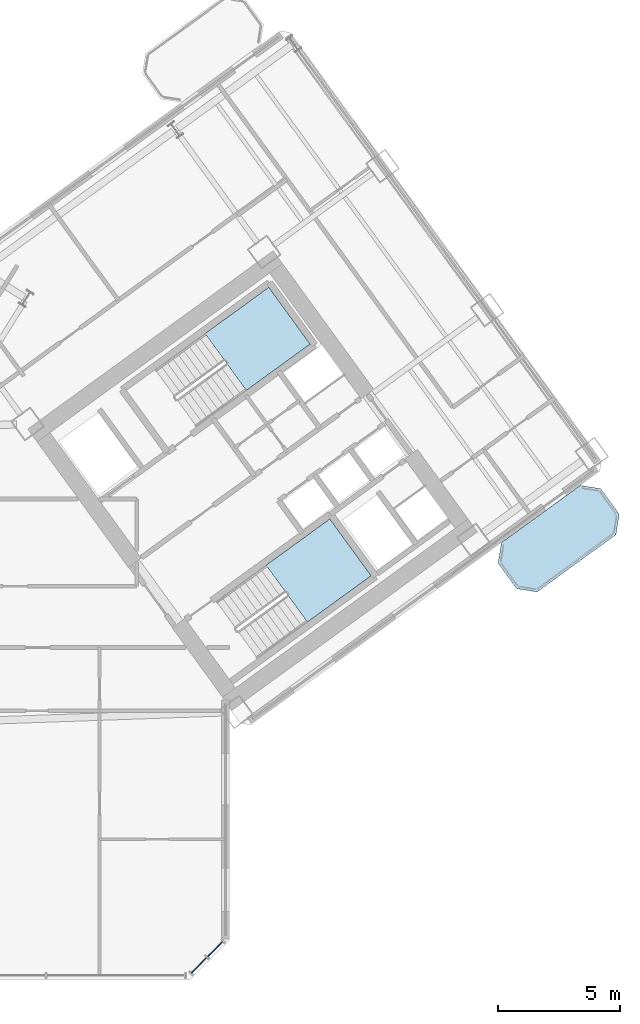
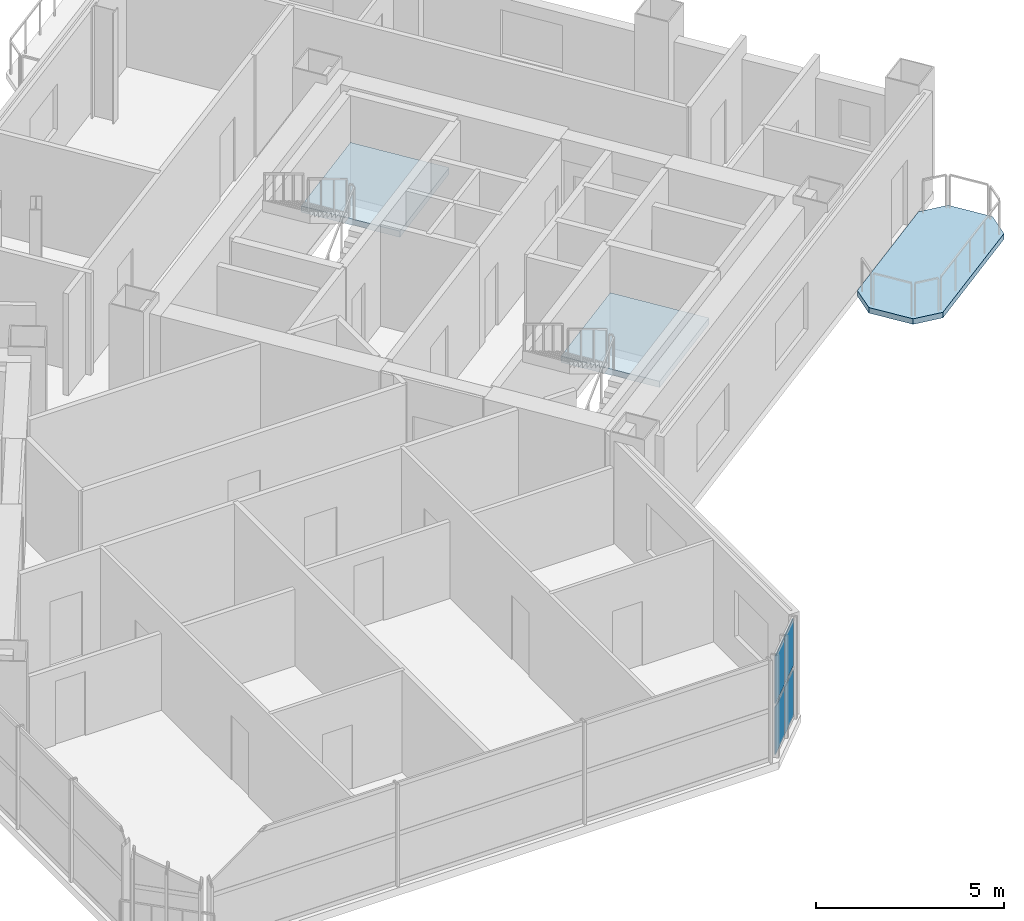
# One storey, part 10 of 21: 4 plates, 3 slabs, 3 elements without a shape of their own.
"""IFC4 building model written with IfcOpenShell, lengths in metres."""

from ifc_helpers import new_model, si_unit, direction, frame, origin, origin_2d, place, context, subcontext, project, spatial, polyline, rectangle, outline, extrude, source, transform, mapped, material, layer, layer_set, type_object, element, aggregate, save


model = new_model("IFC4")

# Units and contexts
model_context = context("Model", 3, precision=1e-05, world=origin(), true_north=direction((0.0, 1.0)))
body_context = subcontext(model_context, "Body", "Model", "MODEL_VIEW")
ifc_project = project(units=[si_unit("LENGTHUNIT", "METRE"), si_unit("AREAUNIT", "SQUARE_METRE"), si_unit("VOLUMEUNIT", "CUBIC_METRE"), si_unit("PLANEANGLEUNIT", "RADIAN"), si_unit("MASSUNIT", "GRAM", prefix="KILO")], contexts=[model_context])

# Site, building, storey
site_placement = place(None, origin())
site = spatial("IfcSite", under=ifc_project, at=site_placement, CompositionType="ELEMENT")
building_placement = place(site_placement, origin())
building = spatial("IfcBuilding", under=site, at=building_placement, Name="Tlacorven Tower", CompositionType="ELEMENT")
storey_placement = place(building_placement, frame((0.0, 0.0, 81.0)))
storey = spatial("IfcBuildingStorey", under=building, at=storey_placement, Name="L20", CompositionType="ELEMENT", Elevation=81.0)

# Slab
ifc_material_1 = material(Name="Precast concrete C45/55", Category="concrete")
ifc_layer_1 = layer(ifc_material_1, 0.179931640625)
ifc_layer_set_1 = layer_set([ifc_layer_1], Name="Precast concrete C45/55")
slab_type_1 = type_object("IfcSlabType", Name="SL-BAL-180", PredefinedType="USERDEFINED", material=ifc_layer_set_1)
slab_1_placement = place(storey_placement, frame((0.0, 0.0, -0.179931640625)))
element("IfcSlab", 1, at=slab_1_placement, inside=storey, type_object=slab_type_1, Name="L20 East Wing Balcony Ribbon OUT", ObjectType="BALCONY SLAB", PredefinedType="USERDEFINED", context=body_context, shape_type="SweptSolid", body=[
    extrude(outline(polyline([(65.025634765625, 17.69482421875), (68.26171875, 20.046142578125), (68.394287109375, 20.884033203125), (67.633056640625, 21.931884765625), (66.795166015625, 22.064453125), (63.55908203125, 19.71337890625), (63.42626953125, 18.875244140625), (64.1875, 17.82763671875), (65.025634765625, 17.69482421875)])), origin(), (0.0, 0.0, 1.0), 0.179931640625),
])

# Stair, slab
ifc_material_2 = material(Name="Concrete C40/50", Category="concrete")
stair_type = type_object("IfcStairType", Name="ST-CORE-DLG", PredefinedType="HALF_TURN_STAIR", material=ifc_material_2)
stair_1_placement = place(storey_placement, origin())
stair_1 = element("IfcStair", 2, at=stair_1_placement, inside=storey, type_object=stair_type, Name="L20 Protected Exit Stair East 1", PredefinedType="HALF_TURN_STAIR")
ifc_layer_2 = layer(ifc_material_2, 0.199951171875)
ifc_layer_set_2 = layer_set([ifc_layer_2], Name="Concrete C40/50")
slab_type_2 = type_object("IfcSlabType", Name="SL-LND-200", PredefinedType="LANDING", material=ifc_layer_set_2)
slab_2_placement = place(storey_placement, frame((0.0, 0.0, 1.60009765625)))
slab_2 = element("IfcSlab", 3, at=slab_2_placement, type_object=slab_type_2, Name="ST-E1 landing 1", PredefinedType="LANDING", context=body_context, shape_type="SweptSolid", body=[
    extrude(outline(polyline([(53.09765625, 25.962890625), (55.7109375, 27.861572265625), (54.01806640625, 30.19140625), (51.40478515625, 28.29296875), (53.09765625, 25.962890625)])), origin(), (0.0, 0.0, 1.0), 0.199951171875),
])
aggregate(stair_1, [slab_2])

stair_2_placement = place(storey_placement, origin())
stair_2 = element("IfcStair", 4, at=stair_2_placement, inside=storey, type_object=stair_type, Name="L20 Protected Exit Stair East 2", PredefinedType="HALF_TURN_STAIR")
slab_3_placement = place(storey_placement, frame((0.0, 0.0, 1.60009765625)))
slab_3 = element("IfcSlab", 5, at=slab_3_placement, type_object=slab_type_2, Name="ST-E2 landing 1", PredefinedType="LANDING", context=body_context, shape_type="SweptSolid", body=[
    extrude(outline(polyline([(55.601806640625, 16.4599609375), (58.21484375, 18.3583984375), (56.52197265625, 20.6884765625), (53.908935546875, 18.789794921875), (55.601806640625, 16.4599609375)])), origin(), (0.0, 0.0, 1.0), 0.199951171875),
])
aggregate(stair_2, [slab_3])

# Curtain wall, plates
ifc_material_3 = material(Name="Dark solar low-E double glazing in aluminium frame", Category="aluminium")
curtain_wall_type = type_object("IfcCurtainWallType", Name="CW-TWR-LOW", PredefinedType="USERDEFINED", material=ifc_material_3)
curtain_wall_placement = place(storey_placement, origin())
curtain_wall = element("IfcCurtainWall", 6, at=curtain_wall_placement, inside=storey, type_object=curtain_wall_type, Name="L20 CW-TWR-LOW Curtain Wall 107", ObjectType="UNITISED CURTAIN WALL", PredefinedType="USERDEFINED")
ifc_material_4 = material(Name="Dark solar double low-E glazing", Category="glass")
ifc_layer_3 = layer(ifc_material_4, 0.031982421875)
ifc_layer_set_3 = layer_set([ifc_layer_3], Name="Dark solar double low-E glazing")
plate_type = type_object("IfcPlateType", Name="CWP-02", PredefinedType="CURTAIN_PANEL", material=ifc_layer_set_3)
shared_shape = source(origin(), body_context, "Body", "SweptSolid", [
    extrude(rectangle(XDim=0.878173828125, YDim=0.031982421875, at=origin_2d()), origin(), (0.0, 0.0, 1.0), 1.5380859375),
])
plate_1_placement = place(storey_placement, frame((51.815673828125, 3.0419921875, 0.06103515625), z_axis=(0.0, 0.0, 1.0), x_axis=(-0.707106781187, -0.707106781187, 0.0)))
plate_1 = element("IfcPlate", 7, at=plate_1_placement, type_object=plate_type, Name="CW-L20-107 Glazing Panel 1", PredefinedType="CURTAIN_PANEL", context=body_context, shape_type="MappedRepresentation", body=[
    mapped(shared_shape, transform((0.0, 0.0, 0.0), scale=1.0)),
])
plate_2_placement = place(storey_placement, frame((51.815673828125, 3.0419921875, 1.720947265625), z_axis=(0.0, 0.0, 1.0), x_axis=(-0.707106781187, -0.707106781187, 0.0)))
plate_2 = element("IfcPlate", 8, at=plate_2_placement, type_object=plate_type, Name="CW-L20-107 Glazing Panel 2", PredefinedType="CURTAIN_PANEL", context=body_context, shape_type="MappedRepresentation", body=[
    mapped(shared_shape, transform((0.0, 0.0, 0.0), scale=1.0)),
])
plate_3_placement = place(storey_placement, frame((51.157958984375, 2.38427734375, 0.06103515625), z_axis=(0.0, 0.0, 1.0), x_axis=(-0.707106781187, -0.707106781187, 0.0)))
plate_3 = element("IfcPlate", 9, at=plate_3_placement, type_object=plate_type, Name="CW-L20-107 Glazing Panel 3", PredefinedType="CURTAIN_PANEL", context=body_context, shape_type="MappedRepresentation", body=[
    mapped(shared_shape, transform((0.0, 0.0, 0.0), scale=1.0)),
])
plate_4_placement = place(storey_placement, frame((51.157958984375, 2.38427734375, 1.720947265625), z_axis=(0.0, 0.0, 1.0), x_axis=(-0.707106781187, -0.707106781187, 0.0)))
plate_4 = element("IfcPlate", 10, at=plate_4_placement, type_object=plate_type, Name="CW-L20-107 Glazing Panel 4", PredefinedType="CURTAIN_PANEL", context=body_context, shape_type="MappedRepresentation", body=[
    mapped(shared_shape, transform((0.0, 0.0, 0.0), scale=1.0)),
])
aggregate(curtain_wall, [plate_1, plate_2, plate_3, plate_4])

save(model, "model.ifc")
